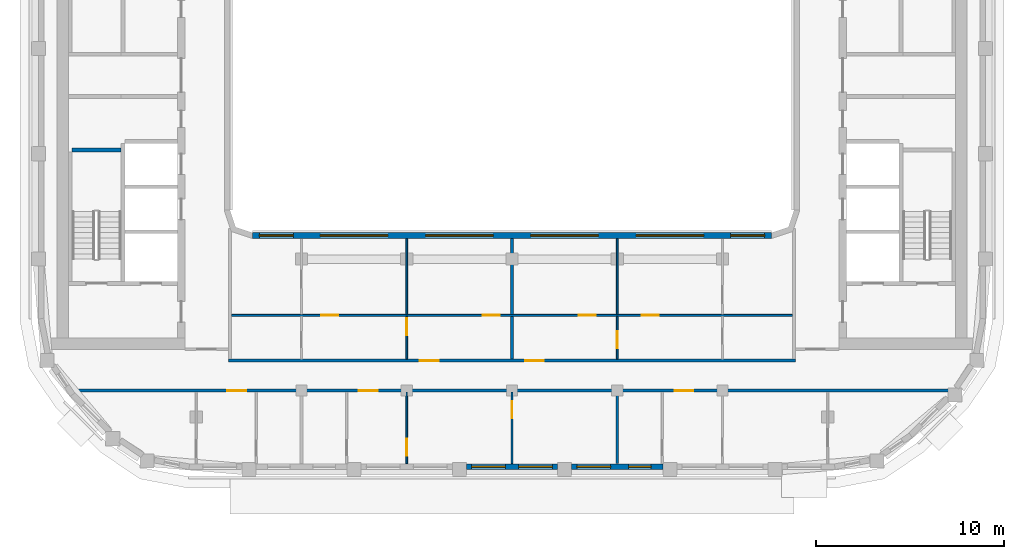
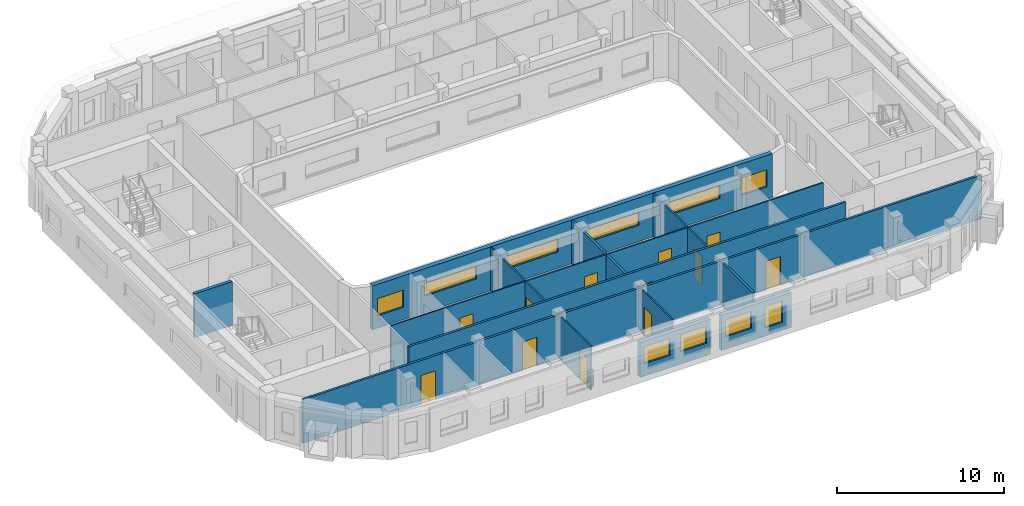
# One storey, part 3 of 16: 16 walls, 13 doors, 10 windows, 23 openings.
"""IFC4 building model written with IfcOpenShell, lengths in metres."""

from ifc_helpers import new_model, si_unit, direction, frame, frame_2d, origin, place, context, subcontext, project, spatial, rectangle, extrude, material, layer, layer_set, type_object, element, fill, save


model = new_model("IFC4")

# Units and contexts
model_context = context("Model", 3, precision=1e-05, world=origin(), true_north=direction((0.0, 1.0)))
body_context = subcontext(model_context, "Body", "Model", "MODEL_VIEW")
ifc_project = project(units=[si_unit("LENGTHUNIT", "METRE"), si_unit("AREAUNIT", "SQUARE_METRE"), si_unit("VOLUMEUNIT", "CUBIC_METRE"), si_unit("PLANEANGLEUNIT", "RADIAN"), si_unit("MASSUNIT", "GRAM", prefix="KILO")], contexts=[model_context])

# Site, building, storey
site_placement = place(None, origin())
site = spatial("IfcSite", under=ifc_project, at=site_placement, CompositionType="ELEMENT")
building_placement = place(site_placement, origin())
building = spatial("IfcBuilding", under=site, at=building_placement, Name="Kiln Ring Residences", CompositionType="ELEMENT")
storey_placement = place(building_placement, frame((0.0, 0.0, 273.199951171875)))
storey = spatial("IfcBuildingStorey", under=building, at=storey_placement, Name="L71", CompositionType="ELEMENT", Elevation=273.199951171875)

# Wall
ifc_material_1 = material(Name="Concrete C40/50", Category="concrete")
ifc_layer_1 = layer(ifc_material_1, 0.199951171875)
ifc_layer_set_1 = layer_set([ifc_layer_1], Name="CORE-WALL-RC200")
wall_type_1 = type_object("IfcWallType", Name="CORE-WALL-RC200", PredefinedType="SHEAR", material=ifc_layer_set_1)
wall_1_placement = place(storey_placement, frame((-20.800048828125, -2.60009765625, 0.0), z_axis=(0.0, 0.0, 1.0), x_axis=(-1.0, 0.0, 0.0)))
element("IfcWall", 1, at=wall_1_placement, inside=storey, type_object=wall_type_1, Name="Core wall west L71 12", PredefinedType="SHEAR", context=body_context, shape_type="SweptSolid", body=[
    extrude(rectangle(XDim=2.599853515625, YDim=0.199951171875, at=frame_2d((1.2998046875, 0.0))), origin(), (0.0, 0.0, 1.0), 3.199951171875),
])

# Wall, openings, windows
ifc_material_2 = material(Name="Brick masonry, dark clay brick", Category="masonry")
ifc_layer_2 = layer(ifc_material_2, 0.300048828125)
ifc_layer_set_2 = layer_set([ifc_layer_2], Name="EW-300 BRICK WALL")
wall_type_2 = type_object("IfcWallType", Name="EW-300 BRICK WALL", PredefinedType="SOLIDWALL", material=ifc_layer_set_2)
wall_2_placement = place(storey_placement, frame((-2.425048828125, -19.449951171875, 0.0), z_axis=(0.0, 0.0, 1.0), x_axis=(1.0, 0.0, 0.0)))
wall_2 = element("IfcWall", 2, at=wall_2_placement, inside=storey, type_object=wall_type_2, Name="Facade wall L71 7", PredefinedType="SOLIDWALL", context=body_context, shape_type="SweptSolid", body=[
    extrude(rectangle(XDim=4.85009765625, YDim=0.300048828125, at=frame_2d((2.425048828125, 0.0))), origin(), (0.0, 0.0, 1.0), 2.550048828125),
])
opening_1_placement = place(wall_2_placement, frame((0.27490234375, 0.0, 0.89990234375)))
opening_1 = element("IfcOpeningElement", 3, at=opening_1_placement, cuts=wall_2, Name="Opening W2", PredefinedType="OPENING", context=body_context, shape_type="SweptSolid", body=[
    extrude(rectangle(XDim=1.800048828125, YDim=1.25, at=frame_2d((0.89990234375, 0.625))), frame((0.0, 0.159912109375, 0.0), z_axis=(0.0, -1.0, 0.0), x_axis=(1.0, 0.0, 0.0)), (0.0, 0.0, 1.0), 0.320068359375),
])
opening_2_placement = place(wall_2_placement, frame((2.77490234375, 0.0, 0.89990234375)))
opening_2 = element("IfcOpeningElement", 4, at=opening_2_placement, cuts=wall_2, Name="Opening W2", PredefinedType="OPENING", context=body_context, shape_type="SweptSolid", body=[
    extrude(rectangle(XDim=1.800048828125, YDim=1.25, at=frame_2d((0.89990234375, 0.625))), frame((0.0, 0.159912109375, 0.0), z_axis=(0.0, -1.0, 0.0), x_axis=(1.0, 0.0, 0.0)), (0.0, 0.0, 1.0), 0.320068359375),
])
ifc_material_3 = material(Name="Aluminium frame with double glazing", Category="aluminium")
window_type_1 = type_object("IfcWindowType", Name="WINDOW 1800 x 1250", PartitioningType="SINGLE_PANEL", PredefinedType="WINDOW", material=ifc_material_3)
window_1_placement = place(opening_1_placement, origin())
window_1 = element("IfcWindow", 5, at=window_1_placement, inside=storey, type_object=window_type_1, Name="Window L71 8", OverallHeight=1.25, OverallWidth=1.800048828125, PartitioningType="SINGLE_PANEL", PredefinedType="WINDOW", context=body_context, shape_type="SweptSolid", body=[
    extrude(rectangle(XDim=1.800048828125, YDim=1.25, at=frame_2d((0.89990234375, 0.625))), frame((0.0, 0.030029296875, 0.0), z_axis=(0.0, -1.0, 0.0), x_axis=(1.0, 0.0, 0.0)), (0.0, 0.0, 1.0), 0.06005859375),
])
fill(opening_1, window_1)
window_2_placement = place(opening_2_placement, origin())
window_2 = element("IfcWindow", 6, at=window_2_placement, inside=storey, type_object=window_type_1, Name="Window L71 9", OverallHeight=1.25, OverallWidth=1.800048828125, PartitioningType="SINGLE_PANEL", PredefinedType="WINDOW", context=body_context, shape_type="SweptSolid", body=[
    extrude(rectangle(XDim=1.800048828125, YDim=1.25, at=frame_2d((0.89990234375, 0.625))), frame((0.0, 0.030029296875, 0.0), z_axis=(0.0, -1.0, 0.0), x_axis=(1.0, 0.0, 0.0)), (0.0, 0.0, 1.0), 0.06005859375),
])
fill(opening_2, window_2)

wall_3_placement = place(storey_placement, frame((3.175048828125, -19.449951171875, 0.0), z_axis=(0.0, 0.0, 1.0), x_axis=(1.0, 0.0, 0.0)))
wall_3 = element("IfcWall", 7, at=wall_3_placement, inside=storey, type_object=wall_type_2, Name="Facade wall L71 8", PredefinedType="SOLIDWALL", context=body_context, shape_type="SweptSolid", body=[
    extrude(rectangle(XDim=4.849853515625, YDim=0.300048828125, at=frame_2d((2.4248046875, 0.0))), origin(), (0.0, 0.0, 1.0), 2.550048828125),
])
opening_3_placement = place(wall_3_placement, frame((0.27490234375, 0.0, 0.89990234375)))
opening_3 = element("IfcOpeningElement", 8, at=opening_3_placement, cuts=wall_3, Name="Opening W2", PredefinedType="OPENING", context=body_context, shape_type="SweptSolid", body=[
    extrude(rectangle(XDim=1.800048828125, YDim=1.25, at=frame_2d((0.89990234375, 0.625))), frame((0.0, 0.159912109375, 0.0), z_axis=(0.0, -1.0, 0.0), x_axis=(1.0, 0.0, 0.0)), (0.0, 0.0, 1.0), 0.320068359375),
])
opening_4_placement = place(wall_3_placement, frame((3.02490234375, 0.0, 0.60009765625)))
opening_4 = element("IfcOpeningElement", 9, at=opening_4_placement, cuts=wall_3, Name="Opening W1", PredefinedType="OPENING", context=body_context, shape_type="SweptSolid", body=[
    extrude(rectangle(XDim=1.199951171875, YDim=1.550048828125, at=frame_2d((0.60009765625, 0.77490234375))), frame((0.0, 0.159912109375, 0.0), z_axis=(0.0, -1.0, 0.0), x_axis=(1.0, 0.0, 0.0)), (0.0, 0.0, 1.0), 0.320068359375),
])
ifc_material_4 = material(Name="Aluminium frame with double glazing", Category="aluminium")
window_type_2 = type_object("IfcWindowType", Name="WINDOW 1200 x 1550", PartitioningType="SINGLE_PANEL", PredefinedType="WINDOW", material=ifc_material_4)
window_3_placement = place(opening_4_placement, origin())
window_3 = element("IfcWindow", 10, at=window_3_placement, inside=storey, type_object=window_type_2, Name="Window L71 11", OverallHeight=1.550048828125, OverallWidth=1.199951171875, PartitioningType="SINGLE_PANEL", PredefinedType="WINDOW", context=body_context, shape_type="SweptSolid", body=[
    extrude(rectangle(XDim=1.199951171875, YDim=1.550048828125, at=frame_2d((0.60009765625, 0.77490234375))), frame((0.0, 0.030029296875, 0.0), z_axis=(0.0, -1.0, 0.0), x_axis=(1.0, 0.0, 0.0)), (0.0, 0.0, 1.0), 0.06005859375),
])
fill(opening_4, window_3)
window_4_placement = place(opening_3_placement, origin())
window_4 = element("IfcWindow", 11, at=window_4_placement, inside=storey, type_object=window_type_1, Name="Window L71 10", OverallHeight=1.25, OverallWidth=1.800048828125, PartitioningType="SINGLE_PANEL", PredefinedType="WINDOW", context=body_context, shape_type="SweptSolid", body=[
    extrude(rectangle(XDim=1.800048828125, YDim=1.25, at=frame_2d((0.89990234375, 0.625))), frame((0.0, 0.030029296875, 0.0), z_axis=(0.0, -1.0, 0.0), x_axis=(1.0, 0.0, 0.0)), (0.0, 0.0, 1.0), 0.06005859375),
])
fill(opening_3, window_4)

wall_4_placement = place(storey_placement, frame((13.800048828125, -7.14990234375, 0.0), z_axis=(0.0, 0.0, 1.0), x_axis=(-1.0, 0.0, 0.0)))
wall_4 = element("IfcWall", 12, at=wall_4_placement, inside=storey, type_object=wall_type_2, Name="Facade wall L71 48", PredefinedType="SOLIDWALL", context=body_context, shape_type="SweptSolid", body=[
    extrude(rectangle(XDim=27.60009765625, YDim=0.300048828125, at=frame_2d((13.800048828125, 0.0))), origin(), (0.0, 0.0, 1.0), 3.199951171875),
])
opening_5_placement = place(wall_4_placement, frame((0.362548828125, 0.0, 0.89990234375)))
opening_5 = element("IfcOpeningElement", 13, at=opening_5_placement, cuts=wall_4, Name="Opening W2", PredefinedType="OPENING", context=body_context, shape_type="SweptSolid", body=[
    extrude(rectangle(XDim=1.800048828125, YDim=1.25, at=frame_2d((0.89990234375, 0.625))), frame((0.0, 0.159912109375, 0.0), z_axis=(0.0, -1.0, 0.0), x_axis=(1.0, 0.0, 0.0)), (0.0, 0.0, 1.0), 0.320068359375),
])
opening_6_placement = place(wall_4_placement, frame((3.60009765625, 0.0, 1.199951171875)))
opening_6 = element("IfcOpeningElement", 14, at=opening_6_placement, cuts=wall_4, Name="Opening W4", PredefinedType="OPENING", context=body_context, shape_type="SweptSolid", body=[
    extrude(rectangle(XDim=3.60009765625, YDim=0.949951171875, at=frame_2d((1.800048828125, 0.47509765625))), frame((0.0, 0.159912109375, 0.0), z_axis=(0.0, -1.0, 0.0), x_axis=(1.0, 0.0, 0.0)), (0.0, 0.0, 1.0), 0.320068359375),
])
opening_7_placement = place(wall_4_placement, frame((9.199951171875, 0.0, 1.199951171875)))
opening_7 = element("IfcOpeningElement", 15, at=opening_7_placement, cuts=wall_4, Name="Opening W4", PredefinedType="OPENING", context=body_context, shape_type="SweptSolid", body=[
    extrude(rectangle(XDim=3.60009765625, YDim=0.949951171875, at=frame_2d((1.800048828125, 0.47509765625))), frame((0.0, 0.159912109375, 0.0), z_axis=(0.0, -1.0, 0.0), x_axis=(1.0, 0.0, 0.0)), (0.0, 0.0, 1.0), 0.320068359375),
])
opening_8_placement = place(wall_4_placement, frame((14.800048828125, 0.0, 1.199951171875)))
opening_8 = element("IfcOpeningElement", 16, at=opening_8_placement, cuts=wall_4, Name="Opening W4", PredefinedType="OPENING", context=body_context, shape_type="SweptSolid", body=[
    extrude(rectangle(XDim=3.60009765625, YDim=0.949951171875, at=frame_2d((1.800048828125, 0.47509765625))), frame((0.0, 0.159912109375, 0.0), z_axis=(0.0, -1.0, 0.0), x_axis=(1.0, 0.0, 0.0)), (0.0, 0.0, 1.0), 0.320068359375),
])
opening_9_placement = place(wall_4_placement, frame((20.39990234375, 0.0, 1.199951171875)))
opening_9 = element("IfcOpeningElement", 17, at=opening_9_placement, cuts=wall_4, Name="Opening W4", PredefinedType="OPENING", context=body_context, shape_type="SweptSolid", body=[
    extrude(rectangle(XDim=3.60009765625, YDim=0.949951171875, at=frame_2d((1.800048828125, 0.47509765625))), frame((0.0, 0.159912109375, 0.0), z_axis=(0.0, -1.0, 0.0), x_axis=(1.0, 0.0, 0.0)), (0.0, 0.0, 1.0), 0.320068359375),
])
opening_10_placement = place(wall_4_placement, frame((25.4375, 0.0, 0.89990234375)))
opening_10 = element("IfcOpeningElement", 18, at=opening_10_placement, cuts=wall_4, Name="Opening W2", PredefinedType="OPENING", context=body_context, shape_type="SweptSolid", body=[
    extrude(rectangle(XDim=1.800048828125, YDim=1.25, at=frame_2d((0.89990234375, 0.625))), frame((0.0, 0.159912109375, 0.0), z_axis=(0.0, -1.0, 0.0), x_axis=(1.0, 0.0, 0.0)), (0.0, 0.0, 1.0), 0.320068359375),
])
window_5_placement = place(opening_5_placement, origin())
window_5 = element("IfcWindow", 19, at=window_5_placement, inside=storey, type_object=window_type_1, Name="Window L71 43", OverallHeight=1.25, OverallWidth=1.800048828125, PartitioningType="SINGLE_PANEL", PredefinedType="WINDOW", context=body_context, shape_type="SweptSolid", body=[
    extrude(rectangle(XDim=1.800048828125, YDim=1.25, at=frame_2d((0.89990234375, 0.625))), frame((0.0, 0.030029296875, 0.0), z_axis=(0.0, -1.0, 0.0), x_axis=(1.0, 0.0, 0.0)), (0.0, 0.0, 1.0), 0.06005859375),
])
fill(opening_5, window_5)
window_6_placement = place(opening_10_placement, origin())
window_6 = element("IfcWindow", 20, at=window_6_placement, inside=storey, type_object=window_type_1, Name="Window L71 48", OverallHeight=1.25, OverallWidth=1.800048828125, PartitioningType="SINGLE_PANEL", PredefinedType="WINDOW", context=body_context, shape_type="SweptSolid", body=[
    extrude(rectangle(XDim=1.800048828125, YDim=1.25, at=frame_2d((0.89990234375, 0.625))), frame((0.0, 0.030029296875, 0.0), z_axis=(0.0, -1.0, 0.0), x_axis=(1.0, 0.0, 0.0)), (0.0, 0.0, 1.0), 0.06005859375),
])
fill(opening_10, window_6)
ifc_material_5 = material(Name="Aluminium frame with double glazing", Category="aluminium")
window_type_3 = type_object("IfcWindowType", Name="WINDOW 3600 x 950", PartitioningType="SINGLE_PANEL", PredefinedType="WINDOW", material=ifc_material_5)
window_7_placement = place(opening_6_placement, origin())
window_7 = element("IfcWindow", 21, at=window_7_placement, inside=storey, type_object=window_type_3, Name="Window L71 44", OverallHeight=0.949951171875, OverallWidth=3.60009765625, PartitioningType="SINGLE_PANEL", PredefinedType="WINDOW", context=body_context, shape_type="SweptSolid", body=[
    extrude(rectangle(XDim=3.60009765625, YDim=0.949951171875, at=frame_2d((1.800048828125, 0.47509765625))), frame((0.0, 0.030029296875, 0.0), z_axis=(0.0, -1.0, 0.0), x_axis=(1.0, 0.0, 0.0)), (0.0, 0.0, 1.0), 0.06005859375),
])
fill(opening_6, window_7)
window_8_placement = place(opening_7_placement, origin())
window_8 = element("IfcWindow", 22, at=window_8_placement, inside=storey, type_object=window_type_3, Name="Window L71 45", OverallHeight=0.949951171875, OverallWidth=3.60009765625, PartitioningType="SINGLE_PANEL", PredefinedType="WINDOW", context=body_context, shape_type="SweptSolid", body=[
    extrude(rectangle(XDim=3.60009765625, YDim=0.949951171875, at=frame_2d((1.800048828125, 0.47509765625))), frame((0.0, 0.030029296875, 0.0), z_axis=(0.0, -1.0, 0.0), x_axis=(1.0, 0.0, 0.0)), (0.0, 0.0, 1.0), 0.06005859375),
])
fill(opening_7, window_8)
window_9_placement = place(opening_8_placement, origin())
window_9 = element("IfcWindow", 23, at=window_9_placement, inside=storey, type_object=window_type_3, Name="Window L71 46", OverallHeight=0.949951171875, OverallWidth=3.60009765625, PartitioningType="SINGLE_PANEL", PredefinedType="WINDOW", context=body_context, shape_type="SweptSolid", body=[
    extrude(rectangle(XDim=3.60009765625, YDim=0.949951171875, at=frame_2d((1.800048828125, 0.47509765625))), frame((0.0, 0.030029296875, 0.0), z_axis=(0.0, -1.0, 0.0), x_axis=(1.0, 0.0, 0.0)), (0.0, 0.0, 1.0), 0.06005859375),
])
fill(opening_8, window_9)
window_10_placement = place(opening_9_placement, origin())
window_10 = element("IfcWindow", 24, at=window_10_placement, inside=storey, type_object=window_type_3, Name="Window L71 47", OverallHeight=0.949951171875, OverallWidth=3.60009765625, PartitioningType="SINGLE_PANEL", PredefinedType="WINDOW", context=body_context, shape_type="SweptSolid", body=[
    extrude(rectangle(XDim=3.60009765625, YDim=0.949951171875, at=frame_2d((1.800048828125, 0.47509765625))), frame((0.0, 0.030029296875, 0.0), z_axis=(0.0, -1.0, 0.0), x_axis=(1.0, 0.0, 0.0)), (0.0, 0.0, 1.0), 0.06005859375),
])
fill(opening_9, window_10)

# Wall, openings, doors
ifc_material_6 = material(Name="Gypsum board on steel studs", Category="steel")
ifc_layer_3 = layer(ifc_material_6, 0.10009765625)
ifc_layer_set_3 = layer_set([ifc_layer_3], Name="PARTITION-100")
wall_type_3 = type_object("IfcWallType", Name="PARTITION-100", PredefinedType="PARTITIONING", material=ifc_layer_set_3)
wall_5_placement = place(storey_placement, frame((-14.925048828125, -11.39990234375, 0.0), z_axis=(0.0, 0.0, 1.0), x_axis=(1.0, 0.0, 0.0)))
wall_5 = element("IfcWall", 25, at=wall_5_placement, inside=storey, type_object=wall_type_3, Name="Partition 004", PredefinedType="PARTITIONING", context=body_context, shape_type="SweptSolid", body=[
    extrude(rectangle(XDim=29.85009765625, YDim=0.10009765625, at=frame_2d((14.925048828125, 0.0))), origin(), (0.0, 0.0, 1.0), 3.199951171875),
])
opening_11_placement = place(wall_5_placement, frame((13.375, 0.0, 0.0)))
opening_11 = element("IfcOpeningElement", 26, at=opening_11_placement, cuts=wall_5, Name="Opening L71-D033", PredefinedType="OPENING", context=body_context, shape_type="SweptSolid", body=[
    extrude(rectangle(XDim=0.89990234375, YDim=2.10009765625, at=frame_2d((0.449951171875, 1.050048828125))), frame((0.0, 0.06005859375, 0.0), z_axis=(0.0, -1.0, 0.0), x_axis=(1.0, 0.0, 0.0)), (0.0, 0.0, 1.0), 0.1201171875),
])
opening_12_placement = place(wall_5_placement, frame((4.77490234375, 0.0, 0.0)))
opening_12 = element("IfcOpeningElement", 27, at=opening_12_placement, cuts=wall_5, Name="Opening L71-D034", PredefinedType="OPENING", context=body_context, shape_type="SweptSolid", body=[
    extrude(rectangle(XDim=0.89990234375, YDim=2.10009765625, at=frame_2d((0.449951171875, 1.050048828125))), frame((0.0, 0.06005859375, 0.0), z_axis=(0.0, -1.0, 0.0), x_axis=(1.0, 0.0, 0.0)), (0.0, 0.0, 1.0), 0.1201171875),
])
opening_13_placement = place(wall_5_placement, frame((18.47509765625, 0.0, 0.0)))
opening_13 = element("IfcOpeningElement", 28, at=opening_13_placement, cuts=wall_5, Name="Opening L71-D039", PredefinedType="OPENING", context=body_context, shape_type="SweptSolid", body=[
    extrude(rectangle(XDim=0.89990234375, YDim=2.10009765625, at=frame_2d((0.449951171875, 1.050048828125))), frame((0.0, 0.06005859375, 0.0), z_axis=(0.0, -1.0, 0.0), x_axis=(1.0, 0.0, 0.0)), (0.0, 0.0, 1.0), 0.1201171875),
])
opening_14_placement = place(wall_5_placement, frame((21.824951171875, 0.0, 0.0)))
opening_14 = element("IfcOpeningElement", 29, at=opening_14_placement, cuts=wall_5, Name="Opening L71-D040", PredefinedType="OPENING", context=body_context, shape_type="SweptSolid", body=[
    extrude(rectangle(XDim=0.89990234375, YDim=2.10009765625, at=frame_2d((0.449951171875, 1.050048828125))), frame((0.0, 0.06005859375, 0.0), z_axis=(0.0, -1.0, 0.0), x_axis=(1.0, 0.0, 0.0)), (0.0, 0.0, 1.0), 0.1201171875),
])
ifc_material_7 = material(Name="Timber door leaf", Category="wood")
door_type_1 = type_object("IfcDoorType", Name="FLAT-DOOR-900-PL", OperationType="SINGLE_SWING_LEFT", PredefinedType="DOOR", material=ifc_material_7)
door_1_placement = place(opening_11_placement, origin())
door_1 = element("IfcDoor", 30, at=door_1_placement, inside=storey, type_object=door_type_1, Name="Door L71-D033", OperationType="SINGLE_SWING_LEFT", OverallHeight=2.10009765625, OverallWidth=0.89990234375, PredefinedType="DOOR", context=body_context, shape_type="SweptSolid", body=[
    extrude(rectangle(XDim=0.89990234375, YDim=2.10009765625, at=frame_2d((0.449951171875, 1.050048828125))), frame((0.0, 0.02490234375, 0.0), z_axis=(0.0, -1.0, 0.0), x_axis=(1.0, 0.0, 0.0)), (0.0, 0.0, 1.0), 0.050048828125),
])
fill(opening_11, door_1)
door_2_placement = place(opening_12_placement, origin())
door_2 = element("IfcDoor", 31, at=door_2_placement, inside=storey, type_object=door_type_1, Name="Door L71-D034", OperationType="SINGLE_SWING_RIGHT", OverallHeight=2.10009765625, OverallWidth=0.89990234375, PredefinedType="DOOR", context=body_context, shape_type="SweptSolid", body=[
    extrude(rectangle(XDim=0.89990234375, YDim=2.10009765625, at=frame_2d((0.449951171875, 1.050048828125))), frame((0.0, 0.02490234375, 0.0), z_axis=(0.0, -1.0, 0.0), x_axis=(1.0, 0.0, 0.0)), (0.0, 0.0, 1.0), 0.050048828125),
])
fill(opening_12, door_2)
door_3_placement = place(opening_13_placement, origin())
door_3 = element("IfcDoor", 32, at=door_3_placement, inside=storey, type_object=door_type_1, Name="Door L71-D039", OperationType="SINGLE_SWING_LEFT", OverallHeight=2.10009765625, OverallWidth=0.89990234375, PredefinedType="DOOR", context=body_context, shape_type="SweptSolid", body=[
    extrude(rectangle(XDim=0.89990234375, YDim=2.10009765625, at=frame_2d((0.449951171875, 1.050048828125))), frame((0.0, 0.02490234375, 0.0), z_axis=(0.0, -1.0, 0.0), x_axis=(1.0, 0.0, 0.0)), (0.0, 0.0, 1.0), 0.050048828125),
])
fill(opening_13, door_3)
door_4_placement = place(opening_14_placement, origin())
door_4 = element("IfcDoor", 33, at=door_4_placement, inside=storey, type_object=door_type_1, Name="Door L71-D040", OperationType="SINGLE_SWING_RIGHT", OverallHeight=2.10009765625, OverallWidth=0.89990234375, PredefinedType="DOOR", context=body_context, shape_type="SweptSolid", body=[
    extrude(rectangle(XDim=0.89990234375, YDim=2.10009765625, at=frame_2d((0.449951171875, 1.050048828125))), frame((0.0, 0.02490234375, 0.0), z_axis=(0.0, -1.0, 0.0), x_axis=(1.0, 0.0, 0.0)), (0.0, 0.0, 1.0), 0.050048828125),
])
fill(opening_14, door_4)

# Wall, opening, door
wall_6_placement = place(storey_placement, frame((-5.60009765625, -19.280029296875, 0.0), z_axis=(0.0, 0.0, 1.0), x_axis=(0.0, 1.0, 0.0)))
wall_6 = element("IfcWall", 34, at=wall_6_placement, inside=storey, type_object=wall_type_3, Name="Partition 024", PredefinedType="PARTITIONING", context=body_context, shape_type="SweptSolid", body=[
    extrude(rectangle(XDim=3.804931640625, YDim=0.10009765625, at=frame_2d((1.90234375, 0.0))), origin(), (0.0, 0.0, 1.0), 3.199951171875),
])
opening_15_placement = place(wall_6_placement, frame((0.419921875, 0.0, 0.0)))
opening_15 = element("IfcOpeningElement", 35, at=opening_15_placement, cuts=wall_6, Name="Opening L71-D047", PredefinedType="OPENING", context=body_context, shape_type="SweptSolid", body=[
    extrude(rectangle(XDim=0.89990234375, YDim=2.10009765625, at=frame_2d((0.449951171875, 1.050048828125))), frame((0.0, 0.06005859375, 0.0), z_axis=(0.0, -1.0, 0.0), x_axis=(1.0, 0.0, 0.0)), (0.0, 0.0, 1.0), 0.1201171875),
])
door_5_placement = place(opening_15_placement, origin())
door_5 = element("IfcDoor", 36, at=door_5_placement, inside=storey, type_object=door_type_1, Name="Door L71-D047", OperationType="SINGLE_SWING_LEFT", OverallHeight=2.10009765625, OverallWidth=0.89990234375, PredefinedType="DOOR", context=body_context, shape_type="SweptSolid", body=[
    extrude(rectangle(XDim=0.89990234375, YDim=2.10009765625, at=frame_2d((0.449951171875, 1.050048828125))), frame((0.0, 0.02490234375, 0.0), z_axis=(0.0, -1.0, 0.0), x_axis=(1.0, 0.0, 0.0)), (0.0, 0.0, 1.0), 0.050048828125),
])
fill(opening_15, door_5)

wall_7_placement = place(storey_placement, frame((-5.60009765625, -13.72509765625, 0.0), z_axis=(0.0, 0.0, 1.0), x_axis=(0.0, 1.0, 0.0)))
wall_7 = element("IfcWall", 37, at=wall_7_placement, inside=storey, type_object=wall_type_3, Name="Partition 025", PredefinedType="PARTITIONING", context=body_context, shape_type="SweptSolid", body=[
    extrude(rectangle(XDim=2.275146484375, YDim=0.10009765625, at=frame_2d((1.1376953125, 0.0))), origin(), (0.0, 0.0, 1.0), 3.199951171875),
])
opening_16_placement = place(wall_7_placement, frame((1.27490234375, 0.0, 0.0)))
opening_16 = element("IfcOpeningElement", 38, at=opening_16_placement, cuts=wall_7, Name="Opening L71-D031", PredefinedType="OPENING", context=body_context, shape_type="SweptSolid", body=[
    extrude(rectangle(XDim=0.89990234375, YDim=2.10009765625, at=frame_2d((0.449951171875, 1.050048828125))), frame((0.0, 0.06005859375, 0.0), z_axis=(0.0, -1.0, 0.0), x_axis=(1.0, 0.0, 0.0)), (0.0, 0.0, 1.0), 0.1201171875),
])
door_6_placement = place(opening_16_placement, origin())
door_6 = element("IfcDoor", 39, at=door_6_placement, inside=storey, type_object=door_type_1, Name="Door L71-D031", OperationType="SINGLE_SWING_LEFT", OverallHeight=2.10009765625, OverallWidth=0.89990234375, PredefinedType="DOOR", context=body_context, shape_type="SweptSolid", body=[
    extrude(rectangle(XDim=0.89990234375, YDim=2.10009765625, at=frame_2d((0.449951171875, 1.050048828125))), frame((0.0, 0.02490234375, 0.0), z_axis=(0.0, -1.0, 0.0), x_axis=(1.0, 0.0, 0.0)), (0.0, 0.0, 1.0), 0.050048828125),
])
fill(opening_16, door_6)

# Wall
wall_8_placement = place(storey_placement, frame((-5.60009765625, -11.35009765625, 0.0), z_axis=(0.0, 0.0, 1.0), x_axis=(0.0, 1.0, 0.0)))
element("IfcWall", 40, at=wall_8_placement, inside=storey, type_object=wall_type_3, Name="Partition 026", PredefinedType="PARTITIONING", context=body_context, shape_type="SweptSolid", body=[
    extrude(rectangle(XDim=4.030029296875, YDim=0.10009765625, at=frame_2d((2.01513671875, 0.0))), origin(), (0.0, 0.0, 1.0), 3.199951171875),
])

# Wall, opening, door
wall_9_placement = place(storey_placement, frame((0.0, -19.280029296875, 0.0), z_axis=(0.0, 0.0, 1.0), x_axis=(0.0, 1.0, 0.0)))
wall_9 = element("IfcWall", 41, at=wall_9_placement, inside=storey, type_object=wall_type_3, Name="Partition 030", PredefinedType="PARTITIONING", context=body_context, shape_type="SweptSolid", body=[
    extrude(rectangle(XDim=3.804931640625, YDim=0.10009765625, at=frame_2d((1.90234375, 0.0))), origin(), (0.0, 0.0, 1.0), 3.199951171875),
])
opening_17_placement = place(wall_9_placement, frame((2.419921875, 0.0, 0.0)))
opening_17 = element("IfcOpeningElement", 42, at=opening_17_placement, cuts=wall_9, Name="Opening L71-D048", PredefinedType="OPENING", context=body_context, shape_type="SweptSolid", body=[
    extrude(rectangle(XDim=0.89990234375, YDim=2.10009765625, at=frame_2d((0.449951171875, 1.050048828125))), frame((0.0, 0.06005859375, 0.0), z_axis=(0.0, -1.0, 0.0), x_axis=(1.0, 0.0, 0.0)), (0.0, 0.0, 1.0), 0.1201171875),
])
door_7_placement = place(opening_17_placement, origin())
door_7 = element("IfcDoor", 43, at=door_7_placement, inside=storey, type_object=door_type_1, Name="Door L71-D048", OperationType="SINGLE_SWING_RIGHT", OverallHeight=2.10009765625, OverallWidth=0.89990234375, PredefinedType="DOOR", context=body_context, shape_type="SweptSolid", body=[
    extrude(rectangle(XDim=0.89990234375, YDim=2.10009765625, at=frame_2d((0.449951171875, 1.050048828125))), frame((0.0, 0.02490234375, 0.0), z_axis=(0.0, -1.0, 0.0), x_axis=(1.0, 0.0, 0.0)), (0.0, 0.0, 1.0), 0.050048828125),
])
fill(opening_17, door_7)

wall_10_placement = place(storey_placement, frame((5.60009765625, -13.72509765625, 0.0), z_axis=(0.0, 0.0, 1.0), x_axis=(0.0, 1.0, 0.0)))
wall_10 = element("IfcWall", 44, at=wall_10_placement, inside=storey, type_object=wall_type_3, Name="Partition 037", PredefinedType="PARTITIONING", context=body_context, shape_type="SweptSolid", body=[
    extrude(rectangle(XDim=2.275146484375, YDim=0.10009765625, at=frame_2d((1.1376953125, 0.0))), origin(), (0.0, 0.0, 1.0), 3.199951171875),
])
opening_18_placement = place(wall_10_placement, frame((0.575927734375, 0.0, 0.0)))
opening_18 = element("IfcOpeningElement", 45, at=opening_18_placement, cuts=wall_10, Name="Opening L71-D037", PredefinedType="OPENING", context=body_context, shape_type="SweptSolid", body=[
    extrude(rectangle(XDim=0.89990234375, YDim=2.10009765625, at=frame_2d((0.449951171875, 1.050048828125))), frame((0.0, 0.06005859375, 0.0), z_axis=(0.0, -1.0, 0.0), x_axis=(1.0, 0.0, 0.0)), (0.0, 0.0, 1.0), 0.1201171875),
])
door_8_placement = place(opening_18_placement, origin())
door_8 = element("IfcDoor", 46, at=door_8_placement, inside=storey, type_object=door_type_1, Name="Door L71-D037", OperationType="SINGLE_SWING_LEFT", OverallHeight=2.10009765625, OverallWidth=0.89990234375, PredefinedType="DOOR", context=body_context, shape_type="SweptSolid", body=[
    extrude(rectangle(XDim=0.89990234375, YDim=2.10009765625, at=frame_2d((0.449951171875, 1.050048828125))), frame((0.0, 0.02490234375, 0.0), z_axis=(0.0, -1.0, 0.0), x_axis=(1.0, 0.0, 0.0)), (0.0, 0.0, 1.0), 0.050048828125),
])
fill(opening_18, door_8)

# Wall
wall_11_placement = place(storey_placement, frame((5.60009765625, -11.35009765625, 0.0), z_axis=(0.0, 0.0, 1.0), x_axis=(0.0, 1.0, 0.0)))
element("IfcWall", 47, at=wall_11_placement, inside=storey, type_object=wall_type_3, Name="Partition 038", PredefinedType="PARTITIONING", context=body_context, shape_type="SweptSolid", body=[
    extrude(rectangle(XDim=4.030029296875, YDim=0.10009765625, at=frame_2d((2.01513671875, 0.0))), origin(), (0.0, 0.0, 1.0), 3.199951171875),
])

# Wall, openings, doors
ifc_material_8 = material(Name="Brick masonry partition", Category="masonry")
ifc_layer_4 = layer(ifc_material_8, 0.14990234375)
ifc_layer_set_4 = layer_set([ifc_layer_4], Name="PARTITION-150-ei60")
wall_type_4 = type_object("IfcWallType", Name="PARTITION-150-ei60", PredefinedType="PARTITIONING", material=ifc_layer_set_4)
wall_12_placement = place(storey_placement, frame((-23.322021484375, -15.39990234375, 0.0), z_axis=(0.0, 0.0, 1.0), x_axis=(1.0, 0.0, 0.0)))
wall_12 = element("IfcWall", 48, at=wall_12_placement, inside=storey, type_object=wall_type_4, Name="Partition 000", PredefinedType="PARTITIONING", context=body_context, shape_type="SweptSolid", body=[
    extrude(rectangle(XDim=46.8720703125, YDim=0.14990234375, at=frame_2d((23.43603515625, 0.0))), origin(), (0.0, 0.0, 1.0), 3.199951171875),
])
opening_19_placement = place(wall_12_placement, frame((8.172119140625, 0.0, 0.0)))
opening_19 = element("IfcOpeningElement", 49, at=opening_19_placement, cuts=wall_12, Name="Opening L71-D042", PredefinedType="OPENING", context=body_context, shape_type="SweptSolid", body=[
    extrude(rectangle(XDim=1.0, YDim=2.10009765625, at=frame_2d((0.5, 1.050048828125))), frame((0.0, 0.0849609375, 0.0), z_axis=(0.0, -1.0, 0.0), x_axis=(1.0, 0.0, 0.0)), (0.0, 0.0, 1.0), 0.169921875),
])
opening_20_placement = place(wall_12_placement, frame((15.172119140625, 0.0, 0.0)))
opening_20 = element("IfcOpeningElement", 50, at=opening_20_placement, cuts=wall_12, Name="Opening L71-D045", PredefinedType="OPENING", context=body_context, shape_type="SweptSolid", body=[
    extrude(rectangle(XDim=1.0, YDim=2.10009765625, at=frame_2d((0.5, 1.050048828125))), frame((0.0, 0.0849609375, 0.0), z_axis=(0.0, -1.0, 0.0), x_axis=(1.0, 0.0, 0.0)), (0.0, 0.0, 1.0), 0.169921875),
])
opening_21_placement = place(wall_12_placement, frame((31.97216796875, 0.0, 0.0)))
opening_21 = element("IfcOpeningElement", 51, at=opening_21_placement, cuts=wall_12, Name="Opening L71-D049", PredefinedType="OPENING", context=body_context, shape_type="SweptSolid", body=[
    extrude(rectangle(XDim=1.0, YDim=2.10009765625, at=frame_2d((0.5, 1.050048828125))), frame((0.0, 0.0849609375, 0.0), z_axis=(0.0, -1.0, 0.0), x_axis=(1.0, 0.0, 0.0)), (0.0, 0.0, 1.0), 0.169921875),
])
ifc_material_9 = material(Name="Steel faced fire door leaf", Category="steel")
door_type_2 = type_object("IfcDoorType", Name="FLAT-DOOR-1000-FR", OperationType="SINGLE_SWING_LEFT", PredefinedType="DOOR", material=ifc_material_9)
door_9_placement = place(opening_19_placement, origin())
door_9 = element("IfcDoor", 52, at=door_9_placement, inside=storey, type_object=door_type_2, Name="Door L71-D042", OperationType="SINGLE_SWING_RIGHT", OverallHeight=2.10009765625, OverallWidth=1.0, PredefinedType="DOOR", context=body_context, shape_type="SweptSolid", body=[
    extrude(rectangle(XDim=1.0, YDim=2.10009765625, at=frame_2d((0.5, 1.050048828125))), frame((0.0, 0.02490234375, 0.0), z_axis=(0.0, -1.0, 0.0), x_axis=(1.0, 0.0, 0.0)), (0.0, 0.0, 1.0), 0.050048828125),
])
fill(opening_19, door_9)
door_10_placement = place(opening_20_placement, origin())
door_10 = element("IfcDoor", 53, at=door_10_placement, inside=storey, type_object=door_type_2, Name="Door L71-D045", OperationType="SINGLE_SWING_LEFT", OverallHeight=2.10009765625, OverallWidth=1.0, PredefinedType="DOOR", context=body_context, shape_type="SweptSolid", body=[
    extrude(rectangle(XDim=1.0, YDim=2.10009765625, at=frame_2d((0.5, 1.050048828125))), frame((0.0, 0.02490234375, 0.0), z_axis=(0.0, -1.0, 0.0), x_axis=(1.0, 0.0, 0.0)), (0.0, 0.0, 1.0), 0.050048828125),
])
fill(opening_20, door_10)
door_11_placement = place(opening_21_placement, origin())
door_11 = element("IfcDoor", 54, at=door_11_placement, inside=storey, type_object=door_type_2, Name="Door L71-D049", OperationType="SINGLE_SWING_LEFT", OverallHeight=2.10009765625, OverallWidth=1.0, PredefinedType="DOOR", context=body_context, shape_type="SweptSolid", body=[
    extrude(rectangle(XDim=1.0, YDim=2.10009765625, at=frame_2d((0.5, 1.050048828125))), frame((0.0, 0.02490234375, 0.0), z_axis=(0.0, -1.0, 0.0), x_axis=(1.0, 0.0, 0.0)), (0.0, 0.0, 1.0), 0.050048828125),
])
fill(opening_21, door_11)

wall_13_placement = place(storey_placement, frame((-15.074951171875, -13.800048828125, 0.0), z_axis=(0.0, 0.0, 1.0), x_axis=(1.0, 0.0, 0.0)))
wall_13 = element("IfcWall", 55, at=wall_13_placement, inside=storey, type_object=wall_type_4, Name="Partition 001", PredefinedType="PARTITIONING", context=body_context, shape_type="SweptSolid", body=[
    extrude(rectangle(XDim=30.14990234375, YDim=0.14990234375, at=frame_2d((15.074951171875, 0.0))), origin(), (0.0, 0.0, 1.0), 3.199951171875),
])
opening_22_placement = place(wall_13_placement, frame((10.175048828125, 0.0, 0.0)))
opening_22 = element("IfcOpeningElement", 56, at=opening_22_placement, cuts=wall_13, Name="Opening L71-D030", PredefinedType="OPENING", context=body_context, shape_type="SweptSolid", body=[
    extrude(rectangle(XDim=1.0, YDim=2.10009765625, at=frame_2d((0.5, 1.050048828125))), frame((0.0, 0.0849609375, 0.0), z_axis=(0.0, -1.0, 0.0), x_axis=(1.0, 0.0, 0.0)), (0.0, 0.0, 1.0), 0.169921875),
])
opening_23_placement = place(wall_13_placement, frame((15.77490234375, 0.0, 0.0)))
opening_23 = element("IfcOpeningElement", 57, at=opening_23_placement, cuts=wall_13, Name="Opening L71-D036", PredefinedType="OPENING", context=body_context, shape_type="SweptSolid", body=[
    extrude(rectangle(XDim=1.0, YDim=2.10009765625, at=frame_2d((0.5, 1.050048828125))), frame((0.0, 0.0849609375, 0.0), z_axis=(0.0, -1.0, 0.0), x_axis=(1.0, 0.0, 0.0)), (0.0, 0.0, 1.0), 0.169921875),
])
door_12_placement = place(opening_22_placement, origin())
door_12 = element("IfcDoor", 58, at=door_12_placement, inside=storey, type_object=door_type_2, Name="Door L71-D030", OperationType="SINGLE_SWING_RIGHT", OverallHeight=2.10009765625, OverallWidth=1.0, PredefinedType="DOOR", context=body_context, shape_type="SweptSolid", body=[
    extrude(rectangle(XDim=1.0, YDim=2.10009765625, at=frame_2d((0.5, 1.050048828125))), frame((0.0, 0.02490234375, 0.0), z_axis=(0.0, -1.0, 0.0), x_axis=(1.0, 0.0, 0.0)), (0.0, 0.0, 1.0), 0.050048828125),
])
fill(opening_22, door_12)
door_13_placement = place(opening_23_placement, origin())
door_13 = element("IfcDoor", 59, at=door_13_placement, inside=storey, type_object=door_type_2, Name="Door L71-D036", OperationType="SINGLE_SWING_RIGHT", OverallHeight=2.10009765625, OverallWidth=1.0, PredefinedType="DOOR", context=body_context, shape_type="SweptSolid", body=[
    extrude(rectangle(XDim=1.0, YDim=2.10009765625, at=frame_2d((0.5, 1.050048828125))), frame((0.0, 0.02490234375, 0.0), z_axis=(0.0, -1.0, 0.0), x_axis=(1.0, 0.0, 0.0)), (0.0, 0.0, 1.0), 0.050048828125),
])
fill(opening_23, door_13)

# Walls
wall_14_placement = place(storey_placement, frame((0.0, -13.72509765625, 0.0), z_axis=(0.0, 0.0, 1.0), x_axis=(0.0, 1.0, 0.0)))
element("IfcWall", 60, at=wall_14_placement, inside=storey, type_object=wall_type_4, Name="Partition 031", PredefinedType="PARTITIONING", context=body_context, shape_type="SweptSolid", body=[
    extrude(rectangle(XDim=2.275146484375, YDim=0.14990234375, at=frame_2d((1.1376953125, 0.0))), origin(), (0.0, 0.0, 1.0), 3.199951171875),
])
wall_15_placement = place(storey_placement, frame((0.0, -11.35009765625, 0.0), z_axis=(0.0, 0.0, 1.0), x_axis=(0.0, 1.0, 0.0)))
element("IfcWall", 61, at=wall_15_placement, inside=storey, type_object=wall_type_4, Name="Partition 032", PredefinedType="PARTITIONING", context=body_context, shape_type="SweptSolid", body=[
    extrude(rectangle(XDim=4.030029296875, YDim=0.14990234375, at=frame_2d((2.01513671875, 0.0))), origin(), (0.0, 0.0, 1.0), 3.199951171875),
])
wall_16_placement = place(storey_placement, frame((5.60009765625, -19.280029296875, 0.0), z_axis=(0.0, 0.0, 1.0), x_axis=(0.0, 1.0, 0.0)))
element("IfcWall", 62, at=wall_16_placement, inside=storey, type_object=wall_type_4, Name="Partition 040", PredefinedType="PARTITIONING", context=body_context, shape_type="SweptSolid", body=[
    extrude(rectangle(XDim=3.804931640625, YDim=0.14990234375, at=frame_2d((1.90234375, 0.0))), origin(), (0.0, 0.0, 1.0), 3.199951171875),
])

save(model, "model.ifc")
